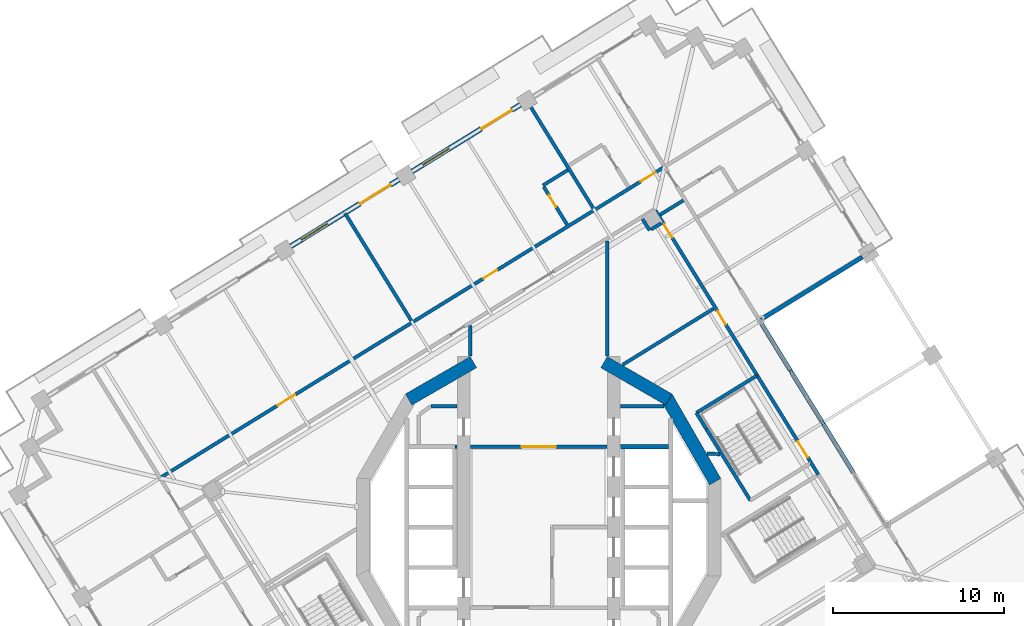
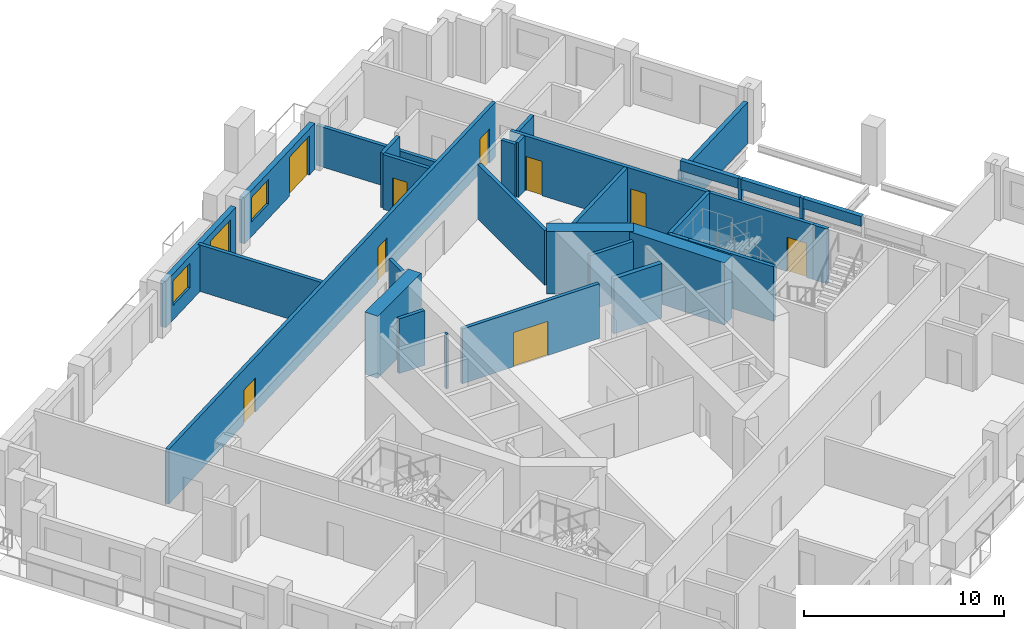
# One storey, part 11 of 21: 34 walls, 10 doors, 2 windows, 12 openings.
"""IFC4 building model written with IfcOpenShell, lengths in metres."""

from ifc_helpers import new_model, si_unit, direction, frame, frame_2d, origin, place, context, subcontext, project, spatial, rectangle, extrude, material, layer, layer_set, type_object, element, fill, save


model = new_model("IFC4")

# Units and contexts
model_context = context("Model", 3, precision=1e-05, world=origin(), true_north=direction((0.0, 1.0)))
body_context = subcontext(model_context, "Body", "Model", "MODEL_VIEW")
ifc_project = project(units=[si_unit("LENGTHUNIT", "METRE"), si_unit("AREAUNIT", "SQUARE_METRE"), si_unit("VOLUMEUNIT", "CUBIC_METRE"), si_unit("PLANEANGLEUNIT", "RADIAN"), si_unit("MASSUNIT", "GRAM", prefix="KILO")], contexts=[model_context])

# Site, building, storey
site_placement = place(None, origin())
site = spatial("IfcSite", under=ifc_project, at=site_placement, CompositionType="ELEMENT")
building_placement = place(site_placement, origin())
building = spatial("IfcBuilding", under=site, at=building_placement, Name="Cantera Rosa Tower", CompositionType="ELEMENT")
storey_placement = place(building_placement, frame((0.0, 0.0, 185.60009765625)))
storey = spatial("IfcBuildingStorey", under=building, at=storey_placement, Name="L41", CompositionType="ELEMENT", Elevation=185.60009765625)

# Wall
ifc_material_1 = material(Name="Gypsum board partition")
ifc_layer_1 = layer(ifc_material_1, 0.199951171875)
ifc_layer_set_1 = layer_set([ifc_layer_1], Name="CORRIDOR WALL 200 H3350")
wall_type_1 = type_object("IfcWallType", Name="CORRIDOR WALL 200 H3350", PredefinedType="PARTITIONING", material=ifc_layer_set_1)
wall_1_placement = place(storey_placement, frame((-4.0, 11.765625, 0.0), z_axis=(0.0, 0.0, 1.0), x_axis=(0.0, -1.0, 0.0)))
element("IfcWall", 1, at=wall_1_placement, inside=storey, type_object=wall_type_1, Name="CORRIDOR WALL L41-049", PredefinedType="PARTITIONING", context=body_context, shape_type="SweptSolid", body=[
    extrude(rectangle(XDim=1.771484375, YDim=0.199951171875, at=frame_2d((0.8857421875, 0.0))), origin(), (0.0, 0.0, 1.0), 3.349853515625),
])

# Wall, opening, door
wall_2_placement = place(storey_placement, frame((-3.969970703125, 4.699951171875, 0.0), z_axis=(0.0, 0.0, 1.0), x_axis=(1.0, 0.0, 0.0)))
wall_2 = element("IfcWall", 2, at=wall_2_placement, inside=storey, type_object=wall_type_1, Name="CORRIDOR WALL L41-050", PredefinedType="PARTITIONING", context=body_context, shape_type="SweptSolid", body=[
    extrude(rectangle(XDim=7.93994140625, YDim=0.199951171875, at=frame_2d((3.969970703125, 0.0))), origin(), (0.0, 0.0, 1.0), 3.349853515625),
])
opening_1_placement = place(wall_2_placement, frame((2.969970703125, 0.0, 0.0)))
opening_1 = element("IfcOpeningElement", 3, at=opening_1_placement, cuts=wall_2, Name="Opening L41-012", PredefinedType="OPENING", context=body_context, shape_type="SweptSolid", body=[
    extrude(rectangle(XDim=2.0, YDim=2.10009765625, at=frame_2d((1.0, 1.050048828125))), frame((0.0, 0.10986328125, 0.0), z_axis=(0.0, -1.0, 0.0), x_axis=(1.0, 0.0, 0.0)), (0.0, 0.0, 1.0), 0.219970703125),
])
ifc_material_2 = material(Name="Steel S355J2 (EN 10025-2)", Category="steel")
door_type_1 = type_object("IfcDoorType", Name="LOBBY SCREEN DOOR 2000x2100", OperationType="NOTDEFINED", PredefinedType="DOOR", material=ifc_material_2)
door_1_placement = place(opening_1_placement, origin())
door_1 = element("IfcDoor", 4, at=door_1_placement, inside=storey, type_object=door_type_1, Name="DOOR L41-012", OperationType="NOTDEFINED", OverallHeight=2.10009765625, OverallWidth=2.0, PredefinedType="DOOR", context=body_context, shape_type="SweptSolid", body=[
    extrude(rectangle(XDim=2.0, YDim=2.10009765625, at=frame_2d((1.0, 1.050048828125))), frame((0.0, 0.02490234375, 0.0), z_axis=(0.0, -1.0, 0.0), x_axis=(1.0, 0.0, 0.0)), (0.0, 0.0, 1.0), 0.050048828125),
])
fill(opening_1, door_1)

# Walls
wall_3_placement = place(storey_placement, frame((4.0, 9.994140625, 0.0), z_axis=(0.0, 0.0, 1.0), x_axis=(0.0, 1.0, 0.0)))
element("IfcWall", 5, at=wall_3_placement, inside=storey, type_object=wall_type_1, Name="CORRIDOR WALL L41-066", PredefinedType="PARTITIONING", context=body_context, shape_type="SweptSolid", body=[
    extrude(rectangle(XDim=6.7060546875, YDim=0.199951171875, at=frame_2d((3.35302734375, 0.0))), origin(), (0.0, 0.0, 1.0), 3.349853515625),
])
wall_4_placement = place(storey_placement, frame((7.08154296875, 18.234619140625, 0.0), z_axis=(0.0, 0.0, 1.0), x_axis=(0.851154962238, 0.524914498045, 0.0)))
element("IfcWall", 6, at=wall_4_placement, inside=storey, type_object=wall_type_1, Name="CORRIDOR WALL L41-078", PredefinedType="PARTITIONING", context=body_context, shape_type="SweptSolid", body=[
    extrude(rectangle(XDim=1.599853515625, YDim=0.199951171875, at=frame_2d((0.7998046875, 0.0))), origin(), (0.0, 0.0, 1.0), 3.349853515625),
])

# Wall, openings, doors
wall_5_placement = place(storey_placement, frame((7.348388671875, 21.040283203125, 0.0), z_axis=(0.0, 0.0, 1.0), x_axis=(-0.851118224949, -0.524974063321, 0.0)))
wall_5 = element("IfcWall", 7, at=wall_5_placement, inside=storey, type_object=wall_type_1, Name="CORRIDOR WALL L41-079", PredefinedType="PARTITIONING", context=body_context, shape_type="SweptSolid", body=[
    extrude(rectangle(XDim=34.5, YDim=0.199951171875, at=frame_2d((17.25, 0.0))), origin(), (0.0, 0.0, 1.0), 3.349853515625),
])
opening_2_placement = place(wall_5_placement, frame((25.35009765625, 0.0, 0.0)))
opening_2 = element("IfcOpeningElement", 8, at=opening_2_placement, cuts=wall_5, Name="Opening L41-024", PredefinedType="OPENING", context=body_context, shape_type="SweptSolid", body=[
    extrude(rectangle(XDim=1.199951171875, YDim=2.10009765625, at=frame_2d((0.60009765625, 1.050048828125))), frame((0.0, 0.10986328125, 0.0), z_axis=(0.0, -1.0, 0.0), x_axis=(1.0, 0.0, 0.0)), (0.0, 0.0, 1.0), 0.219970703125),
])
opening_3_placement = place(wall_5_placement, frame((11.485107421875, 0.0, 0.0)))
opening_3 = element("IfcOpeningElement", 9, at=opening_3_placement, cuts=wall_5, Name="Opening L41-025", PredefinedType="OPENING", context=body_context, shape_type="SweptSolid", body=[
    extrude(rectangle(XDim=0.949951171875, YDim=2.10009765625, at=frame_2d((0.47509765625, 1.050048828125))), frame((0.0, 0.10986328125, 0.0), z_axis=(0.0, -1.0, 0.0), x_axis=(1.0, 0.0, 0.0)), (0.0, 0.0, 1.0), 0.219970703125),
])
opening_4_placement = place(wall_5_placement, frame((0.64990234375, 0.0, 0.0)))
opening_4 = element("IfcOpeningElement", 10, at=opening_4_placement, cuts=wall_5, Name="Opening L41-027", PredefinedType="OPENING", context=body_context, shape_type="SweptSolid", body=[
    extrude(rectangle(XDim=1.0, YDim=2.10009765625, at=frame_2d((0.5, 1.050048828125))), frame((0.0, 0.10986328125, 0.0), z_axis=(0.0, -1.0, 0.0), x_axis=(1.0, 0.0, 0.0)), (0.0, 0.0, 1.0), 0.219970703125),
])
ifc_material_3 = material(Name="Timber door leaf", Category="wood")
door_type_2 = type_object("IfcDoorType", Name="ENTRANCE DOOR 1000x2100", OperationType="NOTDEFINED", PredefinedType="DOOR", material=ifc_material_3)
door_2_placement = place(opening_4_placement, origin())
door_2 = element("IfcDoor", 11, at=door_2_placement, inside=storey, type_object=door_type_2, Name="DOOR L41-027", OperationType="NOTDEFINED", OverallHeight=2.10009765625, OverallWidth=1.0, PredefinedType="DOOR", context=body_context, shape_type="SweptSolid", body=[
    extrude(rectangle(XDim=1.0, YDim=2.10009765625, at=frame_2d((0.5, 1.050048828125))), frame((0.0, 0.02490234375, 0.0), z_axis=(0.0, -1.0, 0.0), x_axis=(1.0, 0.0, 0.0)), (0.0, 0.0, 1.0), 0.050048828125),
])
fill(opening_4, door_2)
ifc_material_4 = material(Name="Timber door leaf", Category="wood")
door_type_3 = type_object("IfcDoorType", Name="ROOM DOOR 1200x2100", OperationType="NOTDEFINED", PredefinedType="DOOR", material=ifc_material_4)
door_3_placement = place(opening_2_placement, origin())
door_3 = element("IfcDoor", 12, at=door_3_placement, inside=storey, type_object=door_type_3, Name="DOOR L41-024", OperationType="NOTDEFINED", OverallHeight=2.10009765625, OverallWidth=1.199951171875, PredefinedType="DOOR", context=body_context, shape_type="SweptSolid", body=[
    extrude(rectangle(XDim=1.199951171875, YDim=2.10009765625, at=frame_2d((0.60009765625, 1.050048828125))), frame((0.0, 0.02490234375, 0.0), z_axis=(0.0, -1.0, 0.0), x_axis=(1.0, 0.0, 0.0)), (0.0, 0.0, 1.0), 0.050048828125),
])
fill(opening_2, door_3)
ifc_material_5 = material(Name="Timber door leaf", Category="wood")
door_type_4 = type_object("IfcDoorType", Name="ROOM DOOR 950x2100", OperationType="NOTDEFINED", PredefinedType="DOOR", material=ifc_material_5)
door_4_placement = place(opening_3_placement, origin())
door_4 = element("IfcDoor", 13, at=door_4_placement, inside=storey, type_object=door_type_4, Name="DOOR L41-025", OperationType="NOTDEFINED", OverallHeight=2.10009765625, OverallWidth=0.949951171875, PredefinedType="DOOR", context=body_context, shape_type="SweptSolid", body=[
    extrude(rectangle(XDim=0.949951171875, YDim=2.10009765625, at=frame_2d((0.47509765625, 1.050048828125))), frame((0.0, 0.02490234375, 0.0), z_axis=(0.0, -1.0, 0.0), x_axis=(1.0, 0.0, 0.0)), (0.0, 0.0, 1.0), 0.050048828125),
])
fill(opening_3, door_4)

wall_6_placement = place(storey_placement, frame((12.74560546875, 8.861328125, 0.0), z_axis=(0.0, 0.0, 1.0), x_axis=(-0.524983574612, 0.851112358263, 0.0)))
wall_6 = element("IfcWall", 14, at=wall_6_placement, inside=storey, type_object=wall_type_1, Name="CORRIDOR WALL L41-097", PredefinedType="PARTITIONING", context=body_context, shape_type="SweptSolid", body=[
    extrude(rectangle(XDim=11.279296875, YDim=0.199951171875, at=frame_2d((5.6396484375, 0.0))), origin(), (0.0, 0.0, 1.0), 3.349853515625),
])
opening_5_placement = place(wall_6_placement, frame((3.501708984375, 0.0, 0.0)))
opening_5 = element("IfcOpeningElement", 15, at=opening_5_placement, cuts=wall_6, Name="Opening L41-005", PredefinedType="OPENING", context=body_context, shape_type="SweptSolid", body=[
    extrude(rectangle(XDim=0.89990234375, YDim=2.10009765625, at=frame_2d((0.449951171875, 1.050048828125))), frame((0.0, 0.10986328125, 0.0), z_axis=(0.0, -1.0, 0.0), x_axis=(1.0, 0.0, 0.0)), (0.0, 0.0, 1.0), 0.219970703125),
])
opening_6_placement = place(wall_6_placement, frame((9.44921875, 0.0, 0.0)))
opening_6 = element("IfcOpeningElement", 16, at=opening_6_placement, cuts=wall_6, Name="Opening L41-006", PredefinedType="OPENING", context=body_context, shape_type="SweptSolid", body=[
    extrude(rectangle(XDim=0.89990234375, YDim=2.10009765625, at=frame_2d((0.449951171875, 1.050048828125))), frame((0.0, 0.10986328125, 0.0), z_axis=(0.0, -1.0, 0.0), x_axis=(1.0, 0.0, 0.0)), (0.0, 0.0, 1.0), 0.219970703125),
])
ifc_material_6 = material(Name="Timber door leaf", Category="wood")
door_type_5 = type_object("IfcDoorType", Name="SERVICE DOOR 900x2100", OperationType="NOTDEFINED", PredefinedType="DOOR", material=ifc_material_6)
door_5_placement = place(opening_5_placement, origin())
door_5 = element("IfcDoor", 17, at=door_5_placement, inside=storey, type_object=door_type_5, Name="DOOR L41-005", OperationType="NOTDEFINED", OverallHeight=2.10009765625, OverallWidth=0.89990234375, PredefinedType="DOOR", context=body_context, shape_type="SweptSolid", body=[
    extrude(rectangle(XDim=0.89990234375, YDim=2.10009765625, at=frame_2d((0.449951171875, 1.050048828125))), frame((0.0, 0.02490234375, 0.0), z_axis=(0.0, -1.0, 0.0), x_axis=(1.0, 0.0, 0.0)), (0.0, 0.0, 1.0), 0.050048828125),
])
fill(opening_5, door_5)
door_6_placement = place(opening_6_placement, origin())
door_6 = element("IfcDoor", 18, at=door_6_placement, inside=storey, type_object=door_type_5, Name="DOOR L41-006", OperationType="NOTDEFINED", OverallHeight=2.10009765625, OverallWidth=0.89990234375, PredefinedType="DOOR", context=body_context, shape_type="SweptSolid", body=[
    extrude(rectangle(XDim=0.89990234375, YDim=2.10009765625, at=frame_2d((0.449951171875, 1.050048828125))), frame((0.0, 0.02490234375, 0.0), z_axis=(0.0, -1.0, 0.0), x_axis=(1.0, 0.0, 0.0)), (0.0, 0.0, 1.0), 0.050048828125),
])
fill(opening_6, door_6)

# Walls
wall_7_placement = place(storey_placement, frame((16.31591796875, 3.072998046875, 0.0), z_axis=(0.0, 0.0, 1.0), x_axis=(-0.524947597637, 0.85113454855, 0.0)))
element("IfcWall", 19, at=wall_7_placement, inside=storey, type_object=wall_type_1, Name="CORRIDOR WALL L41-101", PredefinedType="PARTITIONING", context=body_context, shape_type="SweptSolid", body=[
    extrude(rectangle(XDim=0.80078125, YDim=0.199951171875, at=frame_2d((0.400390625, 0.0))), origin(), (0.0, 0.0, 1.0), 3.349853515625),
])
wall_8_placement = place(storey_placement, frame((16.62109375, 6.007080078125, 0.0), z_axis=(0.0, 0.0, 1.0), x_axis=(-0.525089061607, 0.851047282694, 0.0)))
element("IfcWall", 20, at=wall_8_placement, inside=storey, type_object=wall_type_1, Name="CORRIDOR WALL L41-114", PredefinedType="PARTITIONING", context=body_context, shape_type="SweptSolid", body=[
    extrude(rectangle(XDim=0.2060546875, YDim=0.199951171875, at=frame_2d((0.10302734375, 0.0))), origin(), (0.0, 0.0, 1.0), 3.349853515625),
])
wall_9_placement = place(storey_placement, frame((14.775146484375, 8.99951171875, 0.0), z_axis=(0.0, 0.0, 1.0), x_axis=(-0.524448233232, 0.851442335487, 0.0)))
element("IfcWall", 21, at=wall_9_placement, inside=storey, type_object=wall_type_1, Name="CORRIDOR WALL L41-115", PredefinedType="PARTITIONING", context=body_context, shape_type="SweptSolid", body=[
    extrude(rectangle(XDim=0.194091796875, YDim=0.199951171875, at=frame_2d((0.09716796875, 0.0))), origin(), (0.0, 0.0, 1.0), 3.349853515625),
])

# Wall, openings, window, door
ifc_material_7 = material(Name="Hollow clay masonry with cantera stone cladding", Category="masonry")
ifc_layer_2 = layer(ifc_material_7, 0.300048828125)
ifc_layer_set_2 = layer_set([ifc_layer_2], Name="EW-LOGGIA 300 H2820")
wall_type_2 = type_object("IfcWallType", Name="EW-LOGGIA 300 H2820", PredefinedType="SOLIDWALL", material=ifc_layer_set_2)
wall_10_placement = place(storey_placement, frame((-1.07421875, 24.656982421875, 0.0), z_axis=(0.0, 0.0, 1.0), x_axis=(-0.85112578684, -0.524961803349, 0.0)))
wall_10 = element("IfcWall", 22, at=wall_10_placement, inside=storey, type_object=wall_type_2, Name="EN-L41-W09", PredefinedType="SOLIDWALL", context=body_context, shape_type="SweptSolid", body=[
    extrude(rectangle(XDim=7.420166015625, YDim=0.300048828125, at=frame_2d((3.7099609375, 0.0))), origin(), (0.0, 0.0, 1.0), 2.81982421875),
])
opening_7_placement = place(wall_10_placement, frame((0.580078125, 0.0, 0.0)))
opening_7 = element("IfcOpeningElement", 23, at=opening_7_placement, cuts=wall_10, Name="Opening L41-TD09", PredefinedType="OPENING", context=body_context, shape_type="SweptSolid", body=[
    extrude(rectangle(XDim=2.10009765625, YDim=2.39990234375, at=frame_2d((1.050048828125, 1.199951171875))), frame((0.0, 0.159912109375, 0.0), z_axis=(0.0, -1.0, 0.0), x_axis=(1.0, 0.0, 0.0)), (0.0, 0.0, 1.0), 0.320068359375),
])
opening_8_placement = place(wall_10_placement, frame((4.889892578125, 0.0, 0.89990234375)))
opening_8 = element("IfcOpeningElement", 24, at=opening_8_placement, cuts=wall_10, Name="Opening L41-W10", PredefinedType="OPENING", context=body_context, shape_type="SweptSolid", body=[
    extrude(rectangle(XDim=1.800048828125, YDim=1.5, at=frame_2d((0.89990234375, 0.75))), frame((0.0, 0.159912109375, 0.0), z_axis=(0.0, -1.0, 0.0), x_axis=(1.0, 0.0, 0.0)), (0.0, 0.0, 1.0), 0.320068359375),
])
ifc_material_8 = material(Name="Aluminium frame with clear glass", Category="aluminium")
window_type = type_object("IfcWindowType", Name="Hotel room window 1800x1500", PartitioningType="DOUBLE_PANEL_VERTICAL", PredefinedType="WINDOW", material=ifc_material_8)
window_1_placement = place(opening_8_placement, origin())
window_1 = element("IfcWindow", 25, at=window_1_placement, inside=storey, type_object=window_type, Name="WINDOW L41-W10", OverallHeight=1.5, OverallWidth=1.800048828125, PartitioningType="SINGLE_PANEL", PredefinedType="WINDOW", context=body_context, shape_type="SweptSolid", body=[
    extrude(rectangle(XDim=1.800048828125, YDim=1.5, at=frame_2d((0.89990234375, 0.75))), frame((0.0, 0.030029296875, 0.0), z_axis=(0.0, -1.0, 0.0), x_axis=(1.0, 0.0, 0.0)), (0.0, 0.0, 1.0), 0.06005859375),
])
fill(opening_8, window_1)
ifc_material_9 = material(Name="Aluminium frame with clear glass", Category="aluminium")
door_type_6 = type_object("IfcDoorType", Name="TD-H 2100x2400", OperationType="NOTDEFINED", PredefinedType="DOOR", material=ifc_material_9)
door_7_placement = place(opening_7_placement, origin())
door_7 = element("IfcDoor", 26, at=door_7_placement, inside=storey, type_object=door_type_6, Name="LOGGIA DOOR L41-TD09", OperationType="SLIDING_TO_LEFT", OverallHeight=2.39990234375, OverallWidth=2.10009765625, PredefinedType="DOOR", context=body_context, shape_type="SweptSolid", body=[
    extrude(rectangle(XDim=2.10009765625, YDim=2.39990234375, at=frame_2d((1.050048828125, 1.199951171875))), frame((0.0, 0.02490234375, 0.0), z_axis=(0.0, -1.0, 0.0), x_axis=(1.0, 0.0, 0.0)), (0.0, 0.0, 1.0), 0.050048828125),
])
fill(opening_7, door_7)

wall_11_placement = place(storey_placement, frame((-8.155517578125, 20.289306640625, 0.0), z_axis=(0.0, 0.0, 1.0), x_axis=(-0.851111085575, -0.524985637909, 0.0)))
wall_11 = element("IfcWall", 27, at=wall_11_placement, inside=storey, type_object=wall_type_2, Name="EN-L41-W10", PredefinedType="SOLIDWALL", context=body_context, shape_type="SweptSolid", body=[
    extrude(rectangle(XDim=7.420166015625, YDim=0.300048828125, at=frame_2d((3.7099609375, 0.0))), origin(), (0.0, 0.0, 1.0), 2.81982421875),
])
opening_9_placement = place(wall_11_placement, frame((0.580078125, 0.0, 0.0)))
opening_9 = element("IfcOpeningElement", 28, at=opening_9_placement, cuts=wall_11, Name="Opening L41-TD11", PredefinedType="OPENING", context=body_context, shape_type="SweptSolid", body=[
    extrude(rectangle(XDim=2.10009765625, YDim=2.39990234375, at=frame_2d((1.050048828125, 1.199951171875))), frame((0.0, 0.159912109375, 0.0), z_axis=(0.0, -1.0, 0.0), x_axis=(1.0, 0.0, 0.0)), (0.0, 0.0, 1.0), 0.320068359375),
])
opening_10_placement = place(wall_11_placement, frame((4.889892578125, 0.0, 0.89990234375)))
opening_10 = element("IfcOpeningElement", 29, at=opening_10_placement, cuts=wall_11, Name="Opening L41-W12", PredefinedType="OPENING", context=body_context, shape_type="SweptSolid", body=[
    extrude(rectangle(XDim=1.800048828125, YDim=1.5, at=frame_2d((0.89990234375, 0.75))), frame((0.0, 0.159912109375, 0.0), z_axis=(0.0, -1.0, 0.0), x_axis=(1.0, 0.0, 0.0)), (0.0, 0.0, 1.0), 0.320068359375),
])
window_2_placement = place(opening_10_placement, origin())
window_2 = element("IfcWindow", 30, at=window_2_placement, inside=storey, type_object=window_type, Name="WINDOW L41-W12", OverallHeight=1.5, OverallWidth=1.800048828125, PartitioningType="SINGLE_PANEL", PredefinedType="WINDOW", context=body_context, shape_type="SweptSolid", body=[
    extrude(rectangle(XDim=1.800048828125, YDim=1.5, at=frame_2d((0.89990234375, 0.75))), frame((0.0, 0.030029296875, 0.0), z_axis=(0.0, -1.0, 0.0), x_axis=(1.0, 0.0, 0.0)), (0.0, 0.0, 1.0), 0.06005859375),
])
fill(opening_10, window_2)
door_8_placement = place(opening_9_placement, origin())
door_8 = element("IfcDoor", 31, at=door_8_placement, inside=storey, type_object=door_type_6, Name="LOGGIA DOOR L41-TD11", OperationType="SLIDING_TO_LEFT", OverallHeight=2.39990234375, OverallWidth=2.10009765625, PredefinedType="DOOR", context=body_context, shape_type="SweptSolid", body=[
    extrude(rectangle(XDim=2.10009765625, YDim=2.39990234375, at=frame_2d((1.050048828125, 1.199951171875))), frame((0.0, 0.02490234375, 0.0), z_axis=(0.0, -1.0, 0.0), x_axis=(1.0, 0.0, 0.0)), (0.0, 0.0, 1.0), 0.050048828125),
])
fill(opening_9, door_8)

# Walls
ifc_material_10 = material(Name="Concrete C40/50", Category="concrete")
ifc_layer_3 = layer(ifc_material_10, 0.25)
ifc_layer_set_3 = layer_set([ifc_layer_3], Name="EW-POCKET CHEEK 250 H2510")
wall_type_3 = type_object("IfcWallType", Name="EW-POCKET CHEEK 250 H2510", PredefinedType="SOLIDWALL", material=ifc_layer_set_3)
wall_12_placement = place(storey_placement, frame((18.882080078125, 15.7705078125, 0.0), z_axis=(0.0, 0.0, 1.0), x_axis=(-0.851127184208, -0.524959537777, 0.0)))
element("IfcWall", 32, at=wall_12_placement, inside=storey, type_object=wall_type_3, Name="POCKET CHEEK B L41", PredefinedType="SOLIDWALL", context=body_context, shape_type="SweptSolid", body=[
    extrude(rectangle(XDim=6.949951171875, YDim=0.25, at=frame_2d((3.47509765625, 0.0))), origin(), (0.0, 0.0, 1.0), 2.510009765625),
])
ifc_material_11 = material(Name="Hollow clay masonry with cantera stone cladding", Category="masonry")
ifc_layer_4 = layer(ifc_material_11, 0.25)
ifc_layer_set_4 = layer_set([ifc_layer_4], Name="EW-POCKET REAR 250")
wall_type_4 = type_object("IfcWallType", Name="EW-POCKET REAR 250", PredefinedType="SOLIDWALL", material=ifc_layer_set_4)
for number, where, z_axis, x_axis, name in (
    (33, (18.358642578125, 3.189697265625, 2.741943359375), (0.0, 0.0, 1.0), (-0.524924326479, 0.851148900881, 0.0), "POCKET SPANDREL L41-2"),
    (34, (16.512939453125, 6.182373046875, 2.741943359375), (0.0, 0.0, 1.0), (-0.525010712541, 0.851095618434, 0.0), "POCKET SPANDREL L41-3"),
):
    element("IfcWall", number, at=place(storey_placement, frame(where, z_axis=z_axis, x_axis=x_axis)), inside=storey, type_object=wall_type_4, Name=name, PredefinedType="SOLIDWALL", context=body_context, shape_type="SweptSolid", body=[
        extrude(rectangle(XDim=3.31005859375, YDim=0.25, at=frame_2d((1.655029296875, 0.0))), origin(), (0.0, 0.0, 1.0), 0.60791015625),
    ])
wall_13_placement = place(storey_placement, frame((14.67333984375, 9.16455078125, 2.741943359375), z_axis=(0.0, 0.0, 1.0), x_axis=(-0.524950564519, 0.851132718682, 0.0)))
element("IfcWall", 35, at=wall_13_placement, inside=storey, type_object=wall_type_4, Name="POCKET SPANDREL L41-4", PredefinedType="SOLIDWALL", context=body_context, shape_type="SweptSolid", body=[
    extrude(rectangle(XDim=3.2880859375, YDim=0.25, at=frame_2d((1.64404296875, 0.0))), origin(), (0.0, 0.0, 1.0), 0.60791015625),
])
ifc_material_12 = material(Name="Gypsum board partition")
ifc_layer_5 = layer(ifc_material_12, 0.199951171875)
ifc_layer_set_5 = layer_set([ifc_layer_5], Name="PARTITION 200 H3350")
wall_type_5 = type_object("IfcWallType", Name="PARTITION 200 H3350", PredefinedType="PARTITIONING", material=ifc_layer_set_5)
wall_14_placement = place(storey_placement, frame((-6.273681640625, 7.050048828125, 0.0), z_axis=(0.0, 0.0, 1.0), x_axis=(1.0, 0.0, 0.0)))
element("IfcWall", 36, at=wall_14_placement, inside=storey, type_object=wall_type_5, Name="PARTITION L41-040", PredefinedType="PARTITIONING", context=body_context, shape_type="SweptSolid", body=[
    extrude(rectangle(XDim=1.49365234375, YDim=0.199951171875, at=frame_2d((0.746826171875, 0.0))), origin(), (0.0, 0.0, 1.0), 3.349853515625),
])
wall_15_placement = place(storey_placement, frame((-4.780029296875, 4.699951171875, 0.0), z_axis=(0.0, 0.0, 1.0), x_axis=(-1.0, 0.0, 0.0)))
element("IfcWall", 37, at=wall_15_placement, inside=storey, type_object=wall_type_5, Name="PARTITION L41-045", PredefinedType="PARTITIONING", context=body_context, shape_type="SweptSolid", body=[
    extrude(rectangle(XDim=0.119873046875, YDim=0.199951171875, at=frame_2d((0.06005859375, 0.0))), origin(), (0.0, 0.0, 1.0), 3.349853515625),
])
wall_16_placement = place(storey_placement, frame((0.244140625, 19.947998046875, 0.0), z_axis=(0.0, 0.0, 1.0), x_axis=(0.851066052965, 0.525058638144, 0.0)))
element("IfcWall", 38, at=wall_16_placement, inside=storey, type_object=wall_type_5, Name="PARTITION L41-055", PredefinedType="PARTITIONING", context=body_context, shape_type="SweptSolid", body=[
    extrude(rectangle(XDim=1.699951171875, YDim=0.199951171875, at=frame_2d((0.85009765625, 0.0))), origin(), (0.0, 0.0, 1.0), 3.349853515625),
])

# Wall, opening, door
wall_17_placement = place(storey_placement, frame((1.65087890625, 17.6669921875, 0.0), z_axis=(0.0, 0.0, 1.0), x_axis=(-0.524894416009, 0.851167346673, 0.0)))
wall_17 = element("IfcWall", 39, at=wall_17_placement, inside=storey, type_object=wall_type_5, Name="PARTITION L41-061", PredefinedType="PARTITIONING", context=body_context, shape_type="SweptSolid", body=[
    extrude(rectangle(XDim=2.580078125, YDim=0.199951171875, at=frame_2d((1.2900390625, 0.0))), origin(), (0.0, 0.0, 1.0), 3.349853515625),
])
opening_11_placement = place(wall_17_placement, frame((1.216064453125, 0.0, 0.0)))
opening_11 = element("IfcOpeningElement", 40, at=opening_11_placement, cuts=wall_17, Name="Opening L41-026", PredefinedType="OPENING", context=body_context, shape_type="SweptSolid", body=[
    extrude(rectangle(XDim=0.800048828125, YDim=2.10009765625, at=frame_2d((0.39990234375, 1.050048828125))), frame((0.0, 0.10986328125, 0.0), z_axis=(0.0, -1.0, 0.0), x_axis=(1.0, 0.0, 0.0)), (0.0, 0.0, 1.0), 0.219970703125),
])
ifc_material_13 = material(Name="Timber door leaf", Category="wood")
door_type_7 = type_object("IfcDoorType", Name="BATHROOM DOOR 800x2100", OperationType="NOTDEFINED", PredefinedType="DOOR", material=ifc_material_13)
door_9_placement = place(opening_11_placement, origin())
door_9 = element("IfcDoor", 41, at=door_9_placement, inside=storey, type_object=door_type_7, Name="DOOR L41-026", OperationType="NOTDEFINED", OverallHeight=2.10009765625, OverallWidth=0.800048828125, PredefinedType="DOOR", context=body_context, shape_type="SweptSolid", body=[
    extrude(rectangle(XDim=0.800048828125, YDim=2.10009765625, at=frame_2d((0.39990234375, 1.050048828125))), frame((0.0, 0.02490234375, 0.0), z_axis=(0.0, -1.0, 0.0), x_axis=(1.0, 0.0, 0.0)), (0.0, 0.0, 1.0), 0.050048828125),
])
fill(opening_11, door_9)

# Walls
wall_18_placement = place(storey_placement, frame((4.780029296875, 7.050048828125, 0.0), z_axis=(0.0, 0.0, 1.0), x_axis=(1.0, 0.0, 0.0)))
element("IfcWall", 42, at=wall_18_placement, inside=storey, type_object=wall_type_5, Name="PARTITION L41-069", PredefinedType="PARTITIONING", context=body_context, shape_type="SweptSolid", body=[
    extrude(rectangle(XDim=2.517822265625, YDim=0.199951171875, at=frame_2d((1.2587890625, 0.0))), origin(), (0.0, 0.0, 1.0), 3.349853515625),
])
wall_19_placement = place(storey_placement, frame((4.8916015625, 9.479248046875, 0.0), z_axis=(0.0, 0.0, 1.0), x_axis=(0.851111145043, 0.5249855415, 0.0)))
element("IfcWall", 43, at=wall_19_placement, inside=storey, type_object=wall_type_5, Name="PARTITION L41-070", PredefinedType="PARTITIONING", context=body_context, shape_type="SweptSolid", body=[
    extrude(rectangle(XDim=6.240478515625, YDim=0.199951171875, at=frame_2d((3.1201171875, 0.0))), origin(), (0.0, 0.0, 1.0), 3.349853515625),
])
wall_20_placement = place(storey_placement, frame((6.058349609375, 17.98876953125, 0.0), z_axis=(0.0, 0.0, 1.0), x_axis=(0.524813124932, -0.851217471566, 0.0)))
element("IfcWall", 44, at=wall_20_placement, inside=storey, type_object=wall_type_5, Name="PARTITION L41-072", PredefinedType="PARTITIONING", context=body_context, shape_type="SweptSolid", body=[
    extrude(rectangle(XDim=0.780029296875, YDim=0.199951171875, at=frame_2d((0.39013671875, 0.0))), origin(), (0.0, 0.0, 1.0), 3.349853515625),
])
wall_21_placement = place(storey_placement, frame((6.552978515625, 17.377197265625, 0.0), z_axis=(0.0, 0.0, 1.0), x_axis=(0.850930166337, 0.525278832638, 0.0)))
element("IfcWall", 45, at=wall_21_placement, inside=storey, type_object=wall_type_5, Name="PARTITION L41-074", PredefinedType="PARTITIONING", context=body_context, shape_type="SweptSolid", body=[
    extrude(rectangle(XDim=0.679931640625, YDim=0.199951171875, at=frame_2d((0.33984375, 0.0))), origin(), (0.0, 0.0, 1.0), 3.349853515625),
])
wall_22_placement = place(storey_placement, frame((10.567138671875, 4.26611328125, 0.0), z_axis=(0.0, 0.0, 1.0), x_axis=(-0.99917349636, 0.040648790534, 0.0)))
element("IfcWall", 46, at=wall_22_placement, inside=storey, type_object=wall_type_5, Name="PARTITION L41-091", PredefinedType="PARTITIONING", context=body_context, shape_type="SweptSolid", body=[
    extrude(rectangle(XDim=0.744873046875, YDim=0.199951171875, at=frame_2d((0.37255859375, 0.0))), origin(), (0.0, 0.0, 1.0), 3.349853515625),
])
ifc_material_14 = material(Name="Gypsum board partition")
ifc_layer_6 = layer(ifc_material_14, 0.199951171875)
ifc_layer_set_6 = layer_set([ifc_layer_6], Name="PARTY WALL 200 H2450")
wall_type_6 = type_object("IfcWallType", Name="PARTY WALL 200 H2450", PredefinedType="PARTITIONING", material=ifc_layer_set_6)
wall_23_placement = place(storey_placement, frame((-0.675537109375, 24.86767578125, 0.0), z_axis=(0.0, 0.0, 1.0), x_axis=(0.52498856982, -0.851109277096, 0.0)))
element("IfcWall", 47, at=wall_23_placement, inside=storey, type_object=wall_type_6, Name="PARTY WALL L41-054", PredefinedType="PARTITIONING", context=body_context, shape_type="SweptSolid", body=[
    extrude(rectangle(XDim=7.349853515625, YDim=0.199951171875, at=frame_2d((3.6748046875, 0.0))), origin(), (0.0, 0.0, 1.0), 2.449951171875),
])
ifc_material_15 = material(Name="Gypsum board partition")
ifc_layer_7 = layer(ifc_material_15, 0.199951171875)
ifc_layer_set_7 = layer_set([ifc_layer_7], Name="PARTY WALL 200 H2850")
wall_type_7 = type_object("IfcWallType", Name="PARTY WALL 200 H2850", PredefinedType="PARTITIONING", material=ifc_layer_set_7)
wall_24_placement = place(storey_placement, frame((-7.43896484375, 12.060302734375, 0.0), z_axis=(0.0, 0.0, 1.0), x_axis=(-0.52498856982, 0.851109277096, 0.0)))
element("IfcWall", 48, at=wall_24_placement, inside=storey, type_object=wall_type_7, Name="PARTY WALL L41-031", PredefinedType="PARTITIONING", context=body_context, shape_type="SweptSolid", body=[
    extrude(rectangle(XDim=7.349853515625, YDim=0.199951171875, at=frame_2d((3.6748046875, 0.0))), origin(), (0.0, 0.0, 1.0), 2.849853515625),
])
ifc_material_16 = material(Name="Concrete C60/75", Category="concrete")
ifc_layer_8 = layer(ifc_material_16, 0.75)
ifc_layer_set_8 = layer_set([ifc_layer_8], Name="RC CORE WALL 750 C60/75")
wall_type_8 = type_object("IfcWallType", Name="RC CORE WALL 750 C60/75", PredefinedType="SHEAR", material=ifc_layer_set_8)
for number, where, z_axis, x_axis, name in (
    (49, (-7.590576171875, 7.453369140625, 0.0), (0.0, 0.0, 1.0), (0.866013176292, 0.50002117804, 0.0), "CW-W5 L41"),
    (50, (3.8125, 9.634765625, 0.0), (0.0, 0.0, 1.0), (0.866013176292, -0.50002117804, 0.0), "CW-E1 L41"),
):
    element("IfcWall", number, at=place(storey_placement, frame(where, z_axis=z_axis, x_axis=x_axis)), inside=storey, type_object=wall_type_8, Name=name, PredefinedType="SHEAR", context=body_context, shape_type="SweptSolid", body=[
        extrude(rectangle(XDim=4.362548828125, YDim=0.75, at=frame_2d((2.18115234375, 0.0))), origin(), (0.0, 0.0, 1.0), 3.7998046875),
    ])
wall_25_placement = place(storey_placement, frame((7.453369140625, 7.590576171875, 0.0), z_axis=(0.0, 0.0, 1.0), x_axis=(0.500021842983, -0.866012792365, 0.0)))
element("IfcWall", 51, at=wall_25_placement, inside=storey, type_object=wall_type_8, Name="CW-E2 L41", PredefinedType="SHEAR", context=body_context, shape_type="SweptSolid", body=[
    extrude(rectangle(XDim=5.694091796875, YDim=0.75, at=frame_2d((2.84716796875, 0.0))), origin(), (0.0, 0.0, 1.0), 3.7998046875),
])
ifc_material_17 = material(Name="Masonry blockwork", Category="masonry")
ifc_layer_9 = layer(ifc_material_17, 0.25)
ifc_layer_set_9 = layer_set([ifc_layer_9], Name="SHAFT WALL 250 H3350")
wall_type_9 = type_object("IfcWallType", Name="SHAFT WALL 250 H3350", PredefinedType="SOLIDWALL", material=ifc_layer_set_9)
wall_26_placement = place(storey_placement, frame((4.780029296875, 4.699951171875, 0.0), z_axis=(0.0, 0.0, 1.0), x_axis=(1.0, 0.0, 0.0)))
element("IfcWall", 52, at=wall_26_placement, inside=storey, type_object=wall_type_9, Name="SHAFT WALL L41-068", PredefinedType="SOLIDWALL", context=body_context, shape_type="SweptSolid", body=[
    extrude(rectangle(XDim=2.794921875, YDim=0.25, at=frame_2d((1.3974609375, 0.0))), origin(), (0.0, 0.0, 1.0), 3.349853515625),
])
ifc_material_18 = material(Name="Concrete C50/60", Category="concrete")
ifc_layer_10 = layer(ifc_material_18, 0.199951171875)
ifc_layer_set_10 = layer_set([ifc_layer_10], Name="STAIR WALL 200 H3350")
wall_type_10 = type_object("IfcWallType", Name="STAIR WALL 200 H3350", PredefinedType="SOLIDWALL", material=ifc_layer_set_10)
wall_27_placement = place(storey_placement, frame((9.199462890625, 6.674072265625, 0.0), z_axis=(0.0, 0.0, 1.0), x_axis=(0.524902102766, -0.851162606387, 0.0)))
element("IfcWall", 53, at=wall_27_placement, inside=storey, type_object=wall_type_10, Name="STAIR WALL L41-089", PredefinedType="SOLIDWALL", context=body_context, shape_type="SweptSolid", body=[
    extrude(rectangle(XDim=1.10009765625, YDim=0.199951171875, at=frame_2d((0.550048828125, 0.0))), origin(), (0.0, 0.0, 1.0), 3.349853515625),
])
wall_28_placement = place(storey_placement, frame((12.74560546875, 8.861328125, 0.0), z_axis=(0.0, 0.0, 1.0), x_axis=(-0.851120688733, -0.524970068871, 0.0)))
element("IfcWall", 54, at=wall_28_placement, inside=storey, type_object=wall_type_10, Name="STAIR WALL L41-098", PredefinedType="SOLIDWALL", context=body_context, shape_type="SweptSolid", body=[
    extrude(rectangle(XDim=4.16650390625, YDim=0.199951171875, at=frame_2d((2.083251953125, 0.0))), origin(), (0.0, 0.0, 1.0), 3.349853515625),
])

# Wall, opening, door
wall_29_placement = place(storey_placement, frame((15.8955078125, 3.754638671875, 0.0), z_axis=(0.0, 0.0, 1.0), x_axis=(-0.524982543144, 0.851112994493, 0.0)))
wall_29 = element("IfcWall", 55, at=wall_29_placement, inside=storey, type_object=wall_type_10, Name="STAIR WALL L41-100", PredefinedType="SOLIDWALL", context=body_context, shape_type="SweptSolid", body=[
    extrude(rectangle(XDim=6.0, YDim=0.199951171875, at=frame_2d((3.0, 0.0))), origin(), (0.0, 0.0, 1.0), 3.349853515625),
])
opening_12_placement = place(wall_29_placement, frame((0.375, 0.0, 0.0)))
opening_12 = element("IfcOpeningElement", 56, at=opening_12_placement, cuts=wall_29, Name="Opening L41-001", PredefinedType="OPENING", context=body_context, shape_type="SweptSolid", body=[
    extrude(rectangle(XDim=1.10009765625, YDim=2.10009765625, at=frame_2d((0.550048828125, 1.050048828125))), frame((0.0, 0.10986328125, 0.0), z_axis=(0.0, -1.0, 0.0), x_axis=(1.0, 0.0, 0.0)), (0.0, 0.0, 1.0), 0.219970703125),
])
ifc_material_19 = material(Name="Steel S355J2 (EN 10025-2)", Category="steel")
door_type_8 = type_object("IfcDoorType", Name="STAIR DOOR 1100x2100", OperationType="NOTDEFINED", PredefinedType="DOOR", material=ifc_material_19)
door_10_placement = place(opening_12_placement, origin())
door_10 = element("IfcDoor", 57, at=door_10_placement, inside=storey, type_object=door_type_8, Name="DOOR L41-001", OperationType="NOTDEFINED", OverallHeight=2.10009765625, OverallWidth=1.10009765625, PredefinedType="DOOR", context=body_context, shape_type="SweptSolid", body=[
    extrude(rectangle(XDim=1.10009765625, YDim=2.10009765625, at=frame_2d((0.550048828125, 1.050048828125))), frame((0.0, 0.02490234375, 0.0), z_axis=(0.0, -1.0, 0.0), x_axis=(1.0, 0.0, 0.0)), (0.0, 0.0, 1.0), 0.050048828125),
])
fill(opening_12, door_10)

# Wall
wall_30_placement = place(storey_placement, frame((9.77685546875, 5.73779296875, 0.0), z_axis=(0.0, 0.0, 1.0), x_axis=(0.525000600504, -0.851101856108, 0.0)))
element("IfcWall", 58, at=wall_30_placement, inside=storey, type_object=wall_type_10, Name="STAIR WALL L41-089 J", PredefinedType="SOLIDWALL", context=body_context, shape_type="SweptSolid", body=[
    extrude(rectangle(XDim=4.89990234375, YDim=0.199951171875, at=frame_2d((2.449951171875, 0.0))), origin(), (0.0, 0.0, 1.0), 3.349853515625),
])

save(model, "model.ifc")
